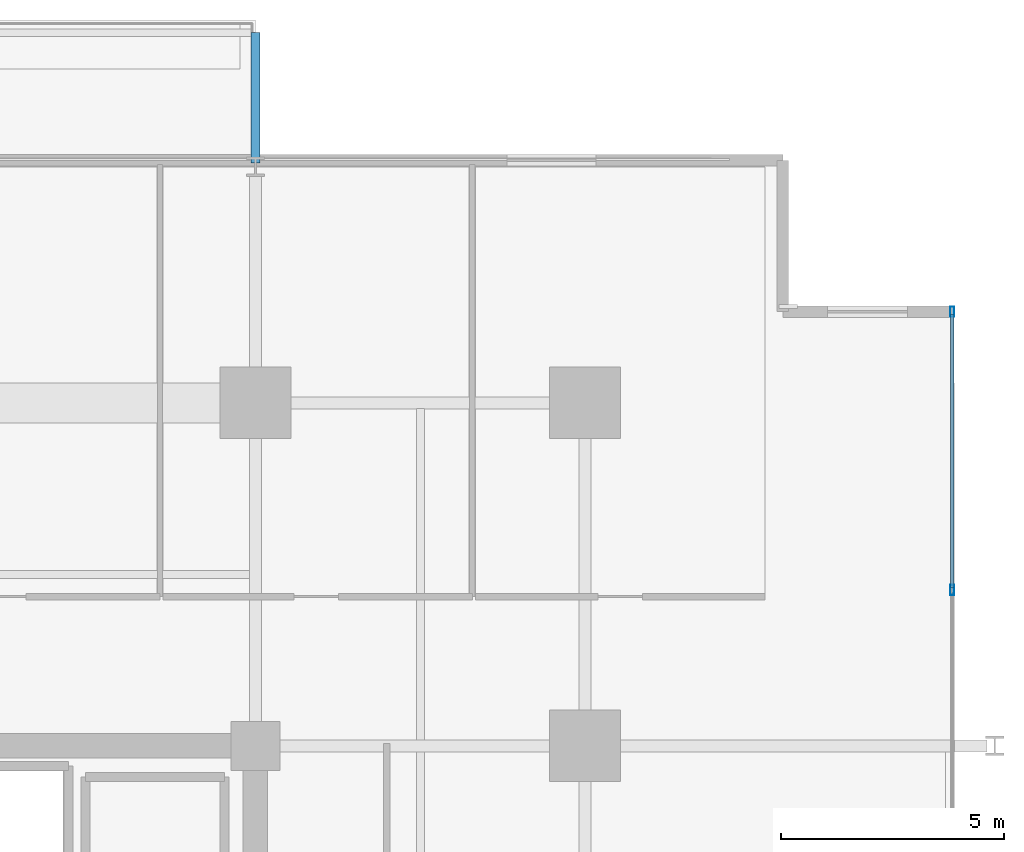
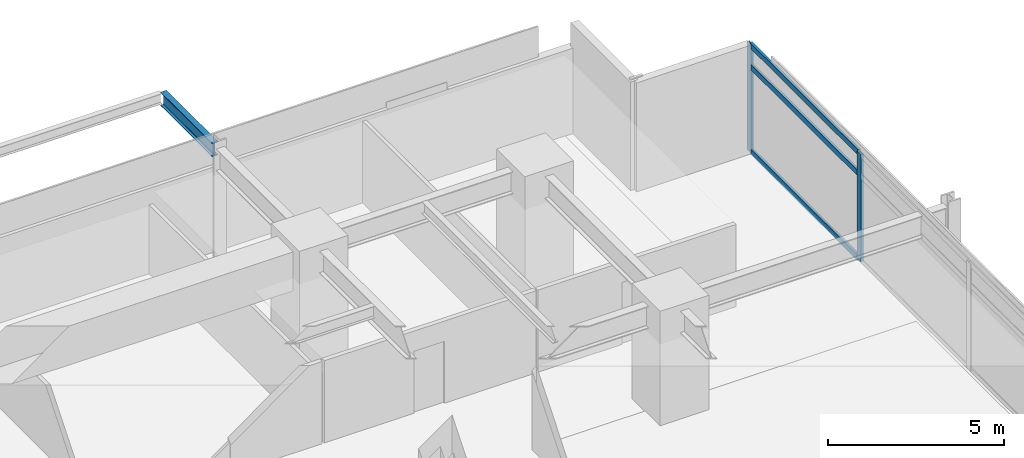
# One storey, part 11 of 22: 5 members, 1 beam, 1 element without a shape of its own.
"""IFC4 building model written with IfcOpenShell, lengths in metres."""

from ifc_helpers import new_model, si_unit, direction, frame, origin, origin_2d, place, context, subcontext, project, spatial, hollow_rectangle, i_section, extrude, material, material_profile, profile_set, type_object, element, aggregate, save


model = new_model("IFC4")

# Units and contexts
model_context = context("Model", 3, precision=1e-05, world=origin(), true_north=direction((0.0, 1.0)))
body_context = subcontext(model_context, "Body", "Model", "MODEL_VIEW")
ifc_project = project(units=[si_unit("LENGTHUNIT", "METRE"), si_unit("AREAUNIT", "SQUARE_METRE"), si_unit("VOLUMEUNIT", "CUBIC_METRE"), si_unit("PLANEANGLEUNIT", "RADIAN"), si_unit("MASSUNIT", "GRAM", prefix="KILO")], contexts=[model_context])

# Site, building, storey
site_placement = place(None, origin())
site = spatial("IfcSite", under=ifc_project, at=site_placement, CompositionType="ELEMENT")
building_placement = place(site_placement, origin())
building = spatial("IfcBuilding", under=site, at=building_placement, Name="Kovane Verandah Tower", CompositionType="ELEMENT")
storey_placement = place(building_placement, frame((0.0, 0.0, 156.39990234375)))
storey = spatial("IfcBuildingStorey", under=building, at=storey_placement, Name="L36", CompositionType="ELEMENT", Elevation=156.39990234375)

# Curtain wall, members
ifc_material_1 = material(Name="Champagne Anodised Aluminium Frame with Low-E Clear Laminated Glass", Category="aluminium")
curtain_wall_type = type_object("IfcCurtainWallType", Name="CW-SYS-03-MID", PredefinedType="NOTDEFINED", material=ifc_material_1)
curtain_wall_placement = place(storey_placement, origin())
curtain_wall = element("IfcCurtainWall", 1, at=curtain_wall_placement, inside=storey, type_object=curtain_wall_type, Name="L36 E Unitised Curtain Wall", PredefinedType="NOTDEFINED")
ifc_material_2 = material(Name="Champagne Anodised Aluminium 6063-T6", Category="aluminium")
ifc_material_profile_1 = material_profile(ifc_material_2, hollow_rectangle(XDim=0.0849609375, YDim=0.22998046875, WallThickness=0.00390625, at=origin_2d()), Name="AL85x230x4")
ifc_profile_set_1 = profile_set([ifc_material_profile_1], Name="Champagne Anodised Aluminium 6063-T6")
member_type_1 = type_object("IfcMemberType", Name="CW-MUL-85x230", PredefinedType="MULLION", material=ifc_profile_set_1)
member_1_placement = place(storey_placement, frame((66.64208984375, 39.99755859375, 0.02001953125), z_axis=(0.0, 0.0, 1.0), x_axis=(1.0, 0.0, 0.0)))
member_1 = element("IfcMember", 2, at=member_1_placement, type_object=member_type_1, Name="L36 E Unitised Curtain Wall Mullion 6", PredefinedType="MULLION", context=body_context, shape_type="SweptSolid", body=[
    extrude(hollow_rectangle(XDim=0.0849609375, YDim=0.22998046875, WallThickness=0.00390625, at=origin_2d()), origin(), (0.0, 0.0, 1.0), 3.735107421875),
])
member_2_placement = place(storey_placement, frame((66.64208984375, 46.24609375, 0.02001953125), z_axis=(0.0, 0.0, 1.0), x_axis=(1.0, 0.0, 0.0)))
member_2 = element("IfcMember", 3, at=member_2_placement, type_object=member_type_1, Name="L36 E Unitised Curtain Wall Mullion 7", PredefinedType="MULLION", context=body_context, shape_type="SweptSolid", body=[
    extrude(hollow_rectangle(XDim=0.0849609375, YDim=0.22998046875, WallThickness=0.00390625, at=origin_2d()), origin(), (0.0, 0.0, 1.0), 3.735107421875),
])
ifc_material_profile_2 = material_profile(ifc_material_2, hollow_rectangle(XDim=0.0849609375, YDim=0.18994140625, WallThickness=0.00390625, at=origin_2d()), Name="AL85x190x4")
ifc_profile_set_2 = profile_set([ifc_material_profile_2], Name="Champagne Anodised Aluminium 6063-T6")
member_type_2 = type_object("IfcMemberType", Name="CW-TRN-85x190", PredefinedType="USERDEFINED", material=ifc_profile_set_2)
member_3_placement = place(storey_placement, frame((66.64208984375, 40.047607421875, 0.050048828125), z_axis=(0.0, 1.0, 0.0), x_axis=(-1.0, 0.0, 0.0)))
member_3 = element("IfcMember", 4, at=member_3_placement, type_object=member_type_2, Name="L36 E Unitised Curtain Wall Transom TB Bay 6", ObjectType="TRANSOM", PredefinedType="USERDEFINED", context=body_context, shape_type="SweptSolid", body=[
    extrude(hollow_rectangle(XDim=0.0849609375, YDim=0.18994140625, WallThickness=0.00390625, at=origin_2d()), origin(), (0.0, 0.0, 1.0), 6.148681640625),
])
member_4_placement = place(storey_placement, frame((66.64208984375, 40.047607421875, 2.9951171875), z_axis=(0.0, 1.0, 0.0), x_axis=(-1.0, 0.0, 0.0)))
member_4 = element("IfcMember", 5, at=member_4_placement, type_object=member_type_2, Name="L36 E Unitised Curtain Wall Transom TM Bay 6", ObjectType="TRANSOM", PredefinedType="USERDEFINED", context=body_context, shape_type="SweptSolid", body=[
    extrude(hollow_rectangle(XDim=0.0849609375, YDim=0.18994140625, WallThickness=0.00390625, at=origin_2d()), origin(), (0.0, 0.0, 1.0), 6.148681640625),
])
member_5_placement = place(storey_placement, frame((66.64208984375, 40.047607421875, 3.72509765625), z_axis=(0.0, 1.0, 0.0), x_axis=(-1.0, 0.0, 0.0)))
member_5 = element("IfcMember", 6, at=member_5_placement, type_object=member_type_2, Name="L36 E Unitised Curtain Wall Transom TT Bay 6", ObjectType="TRANSOM", PredefinedType="USERDEFINED", context=body_context, shape_type="SweptSolid", body=[
    extrude(hollow_rectangle(XDim=0.0849609375, YDim=0.18994140625, WallThickness=0.00390625, at=origin_2d()), origin(), (0.0, 0.0, 1.0), 6.148681640625),
])
aggregate(curtain_wall, [member_1, member_2, member_3, member_4, member_5])

# Beam
ifc_material_3 = material(Name="Steel S355", Category="steel")
ifc_material_profile_3 = material_profile(ifc_material_3, i_section(OverallWidth=0.19287109375, OverallDepth=0.46728515625, WebThickness=0.011474609375, FlangeThickness=0.01953125, FilletRadius=0.01025390625, at=origin_2d()), Name="UB457x191x98")
ifc_profile_set_3 = profile_set([ifc_material_profile_3], Name="Steel S355")
beam_type = type_object("IfcBeamType", Name="JST-UB457x98", PredefinedType="JOIST", material=ifc_profile_set_3)
beam_placement = place(storey_placement, frame((51.0, 49.580078125, 3.526611328125), z_axis=(0.0, 1.0, 0.0), x_axis=(-1.0, 0.0, 0.0)))
element("IfcBeam", 7, at=beam_placement, inside=storey, type_object=beam_type, Name="L36 North Planter Girder 2", PredefinedType="JOIST", context=body_context, shape_type="SweptSolid", body=[
    extrude(i_section(OverallWidth=0.19287109375, OverallDepth=0.46728515625, WebThickness=0.011474609375, FlangeThickness=0.01953125, FilletRadius=0.01025390625, at=origin_2d()), origin(), (0.0, 0.0, 1.0), 2.93115234375),
])

save(model, "model.ifc")
